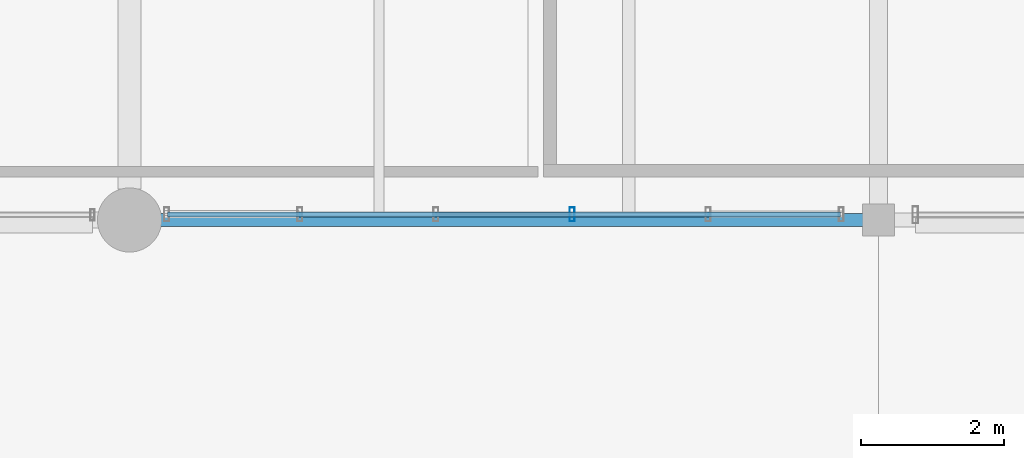
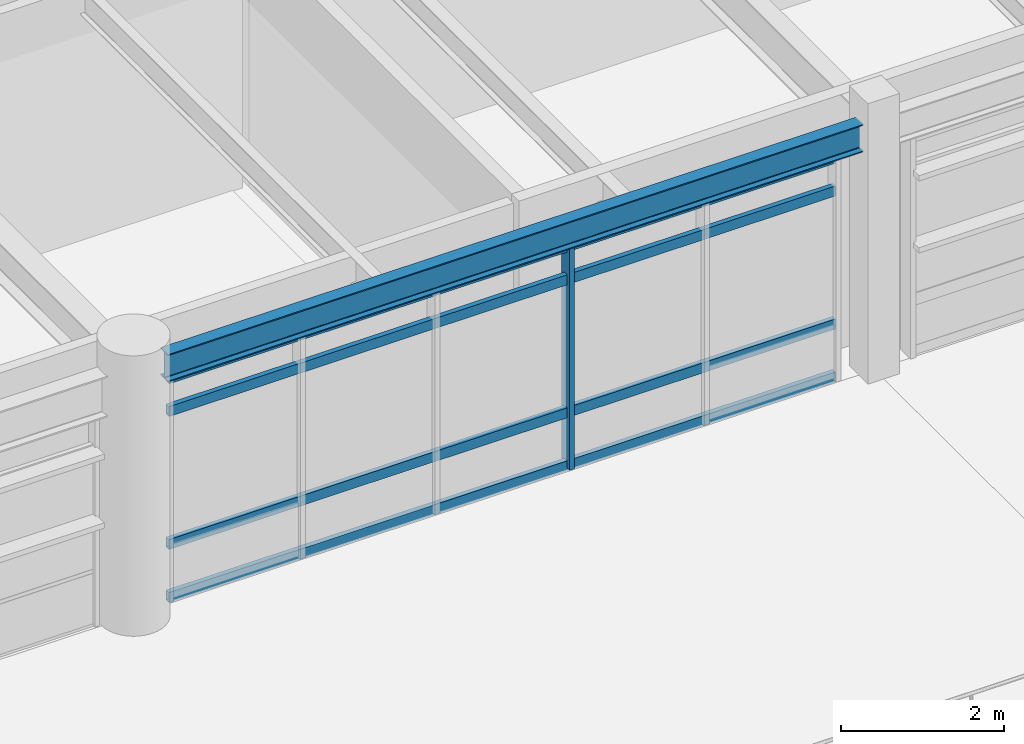
# One storey, part 9 of 56: 5 members, 1 beam, 1 element without a shape of its own.
"""IFC4 building model written with IfcOpenShell, lengths in metres."""

from ifc_helpers import new_model, si_unit, direction, frame, origin, origin_2d, place, context, subcontext, project, spatial, hollow_rectangle, i_section, extrude, material, material_profile, profile_set, type_object, element, aggregate, save


model = new_model("IFC4")

# Units and contexts
model_context = context("Model", 3, precision=1e-05, world=origin(), true_north=direction((0.0, 1.0)))
body_context = subcontext(model_context, "Body", "Model", "MODEL_VIEW")
ifc_project = project(units=[si_unit("LENGTHUNIT", "METRE"), si_unit("AREAUNIT", "SQUARE_METRE"), si_unit("VOLUMEUNIT", "CUBIC_METRE"), si_unit("PLANEANGLEUNIT", "RADIAN"), si_unit("MASSUNIT", "GRAM", prefix="KILO"), si_unit("THERMODYNAMICTEMPERATUREUNIT", "KELVIN"), si_unit("POWERUNIT", "WATT")], contexts=[model_context])

# Site, building, storey
site_placement = place(None, origin())
site = spatial("IfcSite", under=ifc_project, at=site_placement, CompositionType="ELEMENT")
building_placement = place(site_placement, origin())
building = spatial("IfcBuilding", under=site, at=building_placement, Name="Tepalcoro Natatorium and Aquatics Centre", CompositionType="ELEMENT")
storey_placement = place(building_placement, frame((0.0, 0.0, 14.800048828125)))
storey = spatial("IfcBuildingStorey", under=building, at=storey_placement, Name="L03", CompositionType="ELEMENT", Elevation=14.800048828125)

# Curtain wall, members
ifc_material_1 = material(Name="Bronze-Anodised Extruded Aluminium Alloy EN AW-6063 T6", Category="aluminium")
curtain_wall_type = type_object("IfcCurtainWallType", Name="CW_V5_LOWER", PredefinedType="USERDEFINED", material=ifc_material_1)
curtain_wall_placement = place(storey_placement, origin())
curtain_wall = element("IfcCurtainWall", 1, at=curtain_wall_placement, inside=storey, type_object=curtain_wall_type, Name="V5 L03 S Unitised Curtain Wall Bay 4", ObjectType="UNITISED STOREFRONT", PredefinedType="USERDEFINED")
ifc_material_profile_1 = material_profile(ifc_material_1, hollow_rectangle(XDim=0.070068359375, YDim=0.199951171875, WallThickness=0.0048828125, at=origin_2d()), Name="AL70X200X5")
ifc_profile_set_1 = profile_set([ifc_material_profile_1], Name="Bronze-Anodised Extruded Aluminium Alloy EN AW-6063 T6")
member_type_1 = type_object("IfcMemberType", Name="CW_MUL_70x200", PredefinedType="MULLION", material=ifc_profile_set_1)
member_1_placement = place(storey_placement, frame((137.7041015625, 94.080078125, 0.02001953125), z_axis=(0.0, 0.0, 1.0), x_axis=(1.0, 0.0, 0.0)))
member_1 = element("IfcMember", 2, at=member_1_placement, type_object=member_type_1, Name="CW_V5_LOWER Curtain Wall Mullion", PredefinedType="MULLION", context=body_context, shape_type="SweptSolid", body=[
    extrude(hollow_rectangle(XDim=0.070068359375, YDim=0.199951171875, WallThickness=0.0048828125, at=origin_2d()), origin(), (0.0, 0.0, 1.0), 3.3369140625),
])
ifc_material_profile_2 = material_profile(ifc_material_1, hollow_rectangle(XDim=0.070068359375, YDim=0.14990234375, WallThickness=0.00390625, at=origin_2d()), Name="AL70X150X4")
ifc_profile_set_2 = profile_set([ifc_material_profile_2], Name="Bronze-Anodised Extruded Aluminium Alloy EN AW-6063 T6")
member_type_2 = type_object("IfcMemberType", Name="CW_TRN_70x150", PredefinedType="USERDEFINED", material=ifc_profile_set_2)
member_2_placement = place(storey_placement, frame((132.030029296875, 94.080078125, 0.050048828125), z_axis=(1.0, 0.0, 0.0), x_axis=(0.0, 1.0, 0.0)))
member_2 = element("IfcMember", 3, at=member_2_placement, type_object=member_type_2, Name="CW_V5_LOWER Curtain Wall Transom", ObjectType="TRANSOM", PredefinedType="USERDEFINED", context=body_context, shape_type="SweptSolid", body=[
    extrude(hollow_rectangle(XDim=0.070068359375, YDim=0.14990234375, WallThickness=0.00390625, at=origin_2d()), origin(), (0.0, 0.0, 1.0), 9.43994140625),
])
member_3_placement = place(storey_placement, frame((132.030029296875, 94.080078125, 0.84423828125), z_axis=(1.0, 0.0, 0.0), x_axis=(0.0, 1.0, 0.0)))
member_3 = element("IfcMember", 4, at=member_3_placement, type_object=member_type_2, Name="CW_V5_LOWER Curtain Wall Transom", ObjectType="TRANSOM", PredefinedType="USERDEFINED", context=body_context, shape_type="SweptSolid", body=[
    extrude(hollow_rectangle(XDim=0.070068359375, YDim=0.14990234375, WallThickness=0.00390625, at=origin_2d()), origin(), (0.0, 0.0, 1.0), 9.43994140625),
])
member_4_placement = place(storey_placement, frame((132.030029296875, 94.080078125, 2.836669921875), z_axis=(1.0, 0.0, 0.0), x_axis=(0.0, 1.0, 0.0)))
member_4 = element("IfcMember", 5, at=member_4_placement, type_object=member_type_2, Name="CW_V5_LOWER Curtain Wall Transom", ObjectType="TRANSOM", PredefinedType="USERDEFINED", context=body_context, shape_type="SweptSolid", body=[
    extrude(hollow_rectangle(XDim=0.070068359375, YDim=0.14990234375, WallThickness=0.00390625, at=origin_2d()), origin(), (0.0, 0.0, 1.0), 9.43994140625),
])
member_5_placement = place(storey_placement, frame((132.030029296875, 94.080078125, 3.326904296875), z_axis=(1.0, 0.0, 0.0), x_axis=(0.0, 1.0, 0.0)))
member_5 = element("IfcMember", 6, at=member_5_placement, type_object=member_type_2, Name="CW_V5_LOWER Curtain Wall Transom", ObjectType="TRANSOM", PredefinedType="USERDEFINED", context=body_context, shape_type="SweptSolid", body=[
    extrude(hollow_rectangle(XDim=0.070068359375, YDim=0.14990234375, WallThickness=0.00390625, at=origin_2d()), origin(), (0.0, 0.0, 1.0), 9.43994140625),
])
aggregate(curtain_wall, [member_1, member_2, member_3, member_4, member_5])

# Beam
ifc_material_2 = material(Name="Steel ASTM A992 Grade 50 (Fy 345 MPa)", Category="steel")
ifc_material_profile_3 = material_profile(ifc_material_2, i_section(OverallWidth=0.179931640625, OverallDepth=0.4130859375, WebThickness=0.010009765625, FlangeThickness=0.01611328125, FilletRadius=0.013916015625, at=origin_2d()), Name="W16X50")
ifc_profile_set_3 = profile_set([ifc_material_profile_3], Name="Steel ASTM A992 Grade 50 (Fy 345 MPa)")
beam_type = type_object("IfcBeamType", Name="SP_HSS300x200x12", PredefinedType="SPANDREL", material=ifc_profile_set_3)
beam_placement = place(storey_placement, frame((131.93505859375, 94.0, 3.598388671875), z_axis=(1.0, 0.0, 0.0), x_axis=(0.0, 1.0, 0.0)))
element("IfcBeam", 7, at=beam_placement, inside=storey, type_object=beam_type, Name="V5 L03 Grid Girder X", PredefinedType="SPANDREL", context=body_context, shape_type="SweptSolid", body=[
    extrude(i_section(OverallWidth=0.179931640625, OverallDepth=0.4130859375, WebThickness=0.010009765625, FlangeThickness=0.01611328125, FilletRadius=0.013916015625, at=origin_2d()), origin(), (0.0, 0.0, 1.0), 9.85498046875),
])

save(model, "model.ifc")
